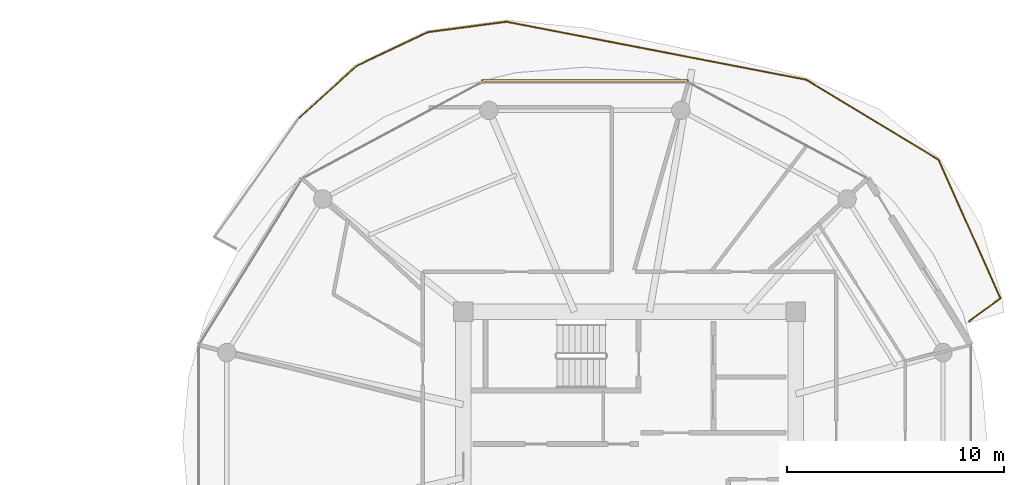
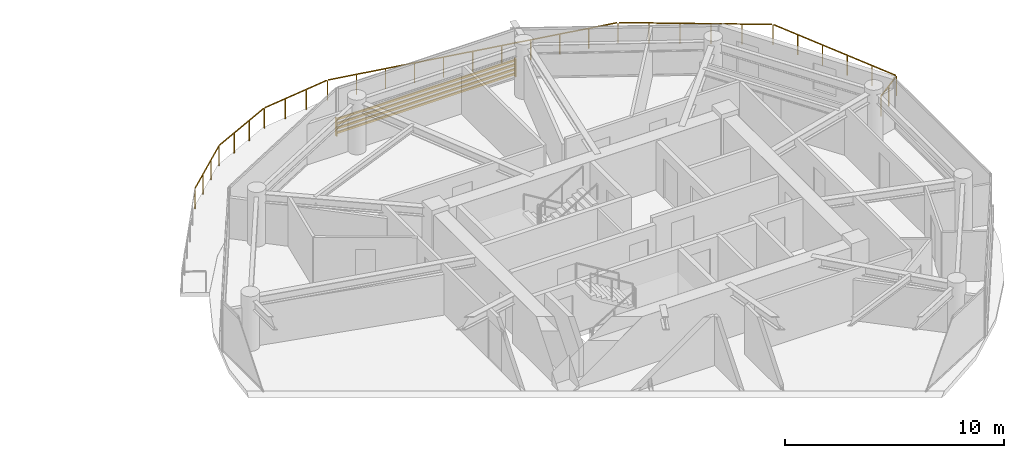
# One storey, part 24 of 24: 1 railing, 1 shading device.
"""IFC4 building model written with IfcOpenShell, lengths in metres."""

from ifc_helpers import new_model, si_unit, direction, frame, origin, origin_2d, place, context, subcontext, project, spatial, rectangle, extrude, source, transform, mapped, material, type_object, type_shapes, element, save


model = new_model("IFC4")

# Units and contexts
model_context = context("Model", 3, precision=1e-05, world=origin(), true_north=direction((0.0, 1.0)))
body_context = subcontext(model_context, "Body", "Model", "MODEL_VIEW")
ifc_project = project(units=[si_unit("LENGTHUNIT", "METRE"), si_unit("AREAUNIT", "SQUARE_METRE"), si_unit("VOLUMEUNIT", "CUBIC_METRE"), si_unit("PLANEANGLEUNIT", "RADIAN"), si_unit("MASSUNIT", "GRAM", prefix="KILO")], contexts=[model_context])

# Site, building, storey
site_placement = place(None, origin())
site = spatial("IfcSite", under=ifc_project, at=site_placement, CompositionType="ELEMENT")
building_placement = place(site_placement, origin())
building = spatial("IfcBuilding", under=site, at=building_placement, Name="Norrkilde Senior Care Towers", CompositionType="ELEMENT")
storey_placement = place(building_placement, frame((0.0, 0.0, 117.60009765625)))
storey = spatial("IfcBuildingStorey", under=building, at=storey_placement, Name="L36", CompositionType="ELEMENT", Elevation=117.60009765625)

# Railing
ifc_material_1 = material(Name="Anodised Aluminium", Category="aluminium")
railing_type = type_object("IfcRailingType", Name="Balcony Swirl Ribbon Guardrail 1150", PredefinedType="GUARDRAIL", material=ifc_material_1)
railing_placement = place(storey_placement, frame((12.77734375, 14.83984375, 0.0)))
element("IfcRailing", 1, at=railing_placement, inside=storey, type_object=railing_type, Name="L36 Perimeter Safety Guard 01", PredefinedType="GUARDRAIL", context=body_context, shape_type="SweptSolid", body=[
    extrude(rectangle(XDim=0.048095703125, YDim=0.048095703125, at=origin_2d()), frame((0.0, 0.0, 1.1259765625), z_axis=(0.741366875301, 0.671099959922, 0.0), x_axis=(-0.671099959922, 0.741366875301, 0.0)), (0.0, 0.0, 1.0), 3.55517578125),
    extrude(rectangle(XDim=0.048095703125, YDim=0.048095703125, at=origin_2d()), frame((2.702880859375, 2.430908203125, 1.1259765625), z_axis=(0.903371947898, 0.428857929564, 0.0), x_axis=(-0.428857929564, 0.903371947898, 0.0)), (0.0, 0.0, 1.0), 3.549072265625),
    extrude(rectangle(XDim=0.048095703125, YDim=0.048095703125, at=origin_2d()), frame((5.986572265625, 3.975830078125, 1.1259765625), z_axis=(0.991299638065, 0.131624570546, 0.0), x_axis=(-0.131624570546, 0.991299638065, 0.0)), (0.0, 0.0, 1.0), 3.566650390625),
    extrude(rectangle(XDim=0.048095703125, YDim=0.048095703125, at=origin_2d()), frame((9.602783203125, 4.44287109375, 1.1259765625), z_axis=(0.981795734719, -0.189939820176, 0.0), x_axis=(0.189939820176, 0.981795734719, 0.0)), (0.0, 0.0, 1.0), 13.974853515625),
    extrude(rectangle(XDim=0.048095703125, YDim=0.048095703125, at=origin_2d()), frame((23.3984375, 1.759521484375, 1.1259765625), z_axis=(0.855397815299, -0.517971599203, 0.0), x_axis=(0.517971599203, 0.855397815299, 0.0)), (0.0, 0.0, 1.0), 7.01611328125),
    extrude(rectangle(XDim=0.048095703125, YDim=0.048095703125, at=origin_2d()), frame((29.45166015625, -1.93310546875, 1.1259765625), z_axis=(0.40804615809, -0.912961298669, 0.0), x_axis=(0.912961298669, 0.40804615809, 0.0)), (0.0, 0.0, 1.0), 6.89697265625),
    extrude(rectangle(XDim=0.048095703125, YDim=0.048095703125, at=origin_2d()), frame((32.249755859375, -8.291259765625, 1.1259765625), z_axis=(-0.806802044972, -0.590821851517, 0.0), x_axis=(0.590821851517, -0.806802044972, 0.0)), (0.0, 0.0, 1.0), 1.7373046875),
    extrude(rectangle(XDim=0.0419921875, YDim=0.0419921875, at=origin_2d()), origin(), (0.0, 0.0, 1.0), 1.099853515625),
    extrude(rectangle(XDim=0.0419921875, YDim=0.0419921875, at=origin_2d()), frame((0.888671875, 0.804443359375, 0.0)), (0.0, 0.0, 1.0), 1.099853515625),
    extrude(rectangle(XDim=0.0419921875, YDim=0.0419921875, at=origin_2d()), frame((1.77734375, 1.60888671875, 0.0)), (0.0, 0.0, 1.0), 1.099853515625),
    extrude(rectangle(XDim=0.0419921875, YDim=0.0419921875, at=origin_2d()), frame((2.666015625, 2.413330078125, 0.0)), (0.0, 0.0, 1.0), 1.099853515625),
    extrude(rectangle(XDim=0.0419921875, YDim=0.0419921875, at=origin_2d()), frame((3.75927734375, 2.932373046875, 0.0)), (0.0, 0.0, 1.0), 1.099853515625),
    extrude(rectangle(XDim=0.0419921875, YDim=0.0419921875, at=origin_2d()), frame((4.852783203125, 3.451416015625, 0.0)), (0.0, 0.0, 1.0), 1.099853515625),
    extrude(rectangle(XDim=0.0419921875, YDim=0.0419921875, at=origin_2d()), frame((5.946044921875, 3.970458984375, 0.0)), (0.0, 0.0, 1.0), 1.099853515625),
    extrude(rectangle(XDim=0.0419921875, YDim=0.0419921875, at=origin_2d()), frame((7.151611328125, 4.130615234375, 0.0)), (0.0, 0.0, 1.0), 1.099853515625),
    extrude(rectangle(XDim=0.0419921875, YDim=0.0419921875, at=origin_2d()), frame((8.357177734375, 4.29052734375, 0.0)), (0.0, 0.0, 1.0), 1.099853515625),
    extrude(rectangle(XDim=0.0419921875, YDim=0.0419921875, at=origin_2d()), frame((9.562744140625, 4.45068359375, 0.0)), (0.0, 0.0, 1.0), 1.099853515625),
    extrude(rectangle(XDim=0.0419921875, YDim=0.0419921875, at=origin_2d()), frame((10.94287109375, 4.18359375, 0.0)), (0.0, 0.0, 1.0), 1.099853515625),
    extrude(rectangle(XDim=0.0419921875, YDim=0.0419921875, at=origin_2d()), frame((12.322998046875, 3.916748046875, 0.0)), (0.0, 0.0, 1.0), 1.099853515625),
    extrude(rectangle(XDim=0.0419921875, YDim=0.0419921875, at=origin_2d()), frame((13.702880859375, 3.649658203125, 0.0)), (0.0, 0.0, 1.0), 1.099853515625),
    extrude(rectangle(XDim=0.0419921875, YDim=0.0419921875, at=origin_2d()), frame((15.0830078125, 3.3828125, 0.0)), (0.0, 0.0, 1.0), 1.099853515625),
    extrude(rectangle(XDim=0.0419921875, YDim=0.0419921875, at=origin_2d()), frame((16.463134765625, 3.11572265625, 0.0)), (0.0, 0.0, 1.0), 1.099853515625),
    extrude(rectangle(XDim=0.0419921875, YDim=0.0419921875, at=origin_2d()), frame((17.84326171875, 2.8486328125, 0.0)), (0.0, 0.0, 1.0), 1.099853515625),
    extrude(rectangle(XDim=0.0419921875, YDim=0.0419921875, at=origin_2d()), frame((19.223388671875, 2.581787109375, 0.0)), (0.0, 0.0, 1.0), 1.099853515625),
    extrude(rectangle(XDim=0.0419921875, YDim=0.0419921875, at=origin_2d()), frame((20.603271484375, 2.314697265625, 0.0)), (0.0, 0.0, 1.0), 1.099853515625),
    extrude(rectangle(XDim=0.0419921875, YDim=0.0419921875, at=origin_2d()), frame((21.9833984375, 2.0478515625, 0.0)), (0.0, 0.0, 1.0), 1.099853515625),
    extrude(rectangle(XDim=0.0419921875, YDim=0.0419921875, at=origin_2d()), frame((23.363525390625, 1.78076171875, 0.0)), (0.0, 0.0, 1.0), 1.099853515625),
    extrude(rectangle(XDim=0.0419921875, YDim=0.0419921875, at=origin_2d()), frame((24.577880859375, 1.04541015625, 0.0)), (0.0, 0.0, 1.0), 1.099853515625),
    extrude(rectangle(XDim=0.0419921875, YDim=0.0419921875, at=origin_2d()), frame((25.792236328125, 0.31005859375, 0.0)), (0.0, 0.0, 1.0), 1.099853515625),
    extrude(rectangle(XDim=0.0419921875, YDim=0.0419921875, at=origin_2d()), frame((27.00634765625, -0.425048828125, 0.0)), (0.0, 0.0, 1.0), 1.099853515625),
    extrude(rectangle(XDim=0.0419921875, YDim=0.0419921875, at=origin_2d()), frame((28.220703125, -1.160400390625, 0.0)), (0.0, 0.0, 1.0), 1.099853515625),
    extrude(rectangle(XDim=0.0419921875, YDim=0.0419921875, at=origin_2d()), frame((29.43505859375, -1.895751953125, 0.0)), (0.0, 0.0, 1.0), 1.099853515625),
    extrude(rectangle(XDim=0.0419921875, YDim=0.0419921875, at=origin_2d()), frame((30.004638671875, -3.169921875, 0.0)), (0.0, 0.0, 1.0), 1.099853515625),
    extrude(rectangle(XDim=0.0419921875, YDim=0.0419921875, at=origin_2d()), frame((30.57421875, -4.4443359375, 0.0)), (0.0, 0.0, 1.0), 1.099853515625),
    extrude(rectangle(XDim=0.0419921875, YDim=0.0419921875, at=origin_2d()), frame((31.1435546875, -5.718505859375, 0.0)), (0.0, 0.0, 1.0), 1.099853515625),
    extrude(rectangle(XDim=0.0419921875, YDim=0.0419921875, at=origin_2d()), frame((31.713134765625, -6.992919921875, 0.0)), (0.0, 0.0, 1.0), 1.099853515625),
    extrude(rectangle(XDim=0.0419921875, YDim=0.0419921875, at=origin_2d()), frame((32.28271484375, -8.26708984375, 0.0)), (0.0, 0.0, 1.0), 1.099853515625),
    extrude(rectangle(XDim=0.0419921875, YDim=0.0419921875, at=origin_2d()), frame((31.5654296875, -8.79248046875, 0.0)), (0.0, 0.0, 1.0), 1.099853515625),
    extrude(rectangle(XDim=0.0419921875, YDim=0.0419921875, at=origin_2d()), frame((30.84814453125, -9.317626953125, 0.0)), (0.0, 0.0, 1.0), 1.099853515625),
])

# Shading device
ifc_material_2 = material(Name="Architectural Terracotta", Category="masonry")
shading_device_type = type_object("IfcShadingDeviceType", Name="Horizontal Terracotta Baguette Rack", PredefinedType="USERDEFINED", material=ifc_material_2)
shared_shape = source(origin(), body_context, "Body", "SweptSolid", [
    extrude(rectangle(XDim=0.070068359375, YDim=0.110107421875, at=origin_2d()), frame((0.0, 0.090087890625, 0.125), z_axis=(1.0, 0.0, 0.0), x_axis=(0.0, 1.0, 0.0)), (0.0, 0.0, 1.0), 9.51416015625),
    extrude(rectangle(XDim=0.070068359375, YDim=0.110107421875, at=origin_2d()), frame((0.0, 0.090087890625, 0.375), z_axis=(1.0, 0.0, 0.0), x_axis=(0.0, 1.0, 0.0)), (0.0, 0.0, 1.0), 9.51416015625),
    extrude(rectangle(XDim=0.070068359375, YDim=0.110107421875, at=origin_2d()), frame((0.0, 0.090087890625, 0.625), z_axis=(1.0, 0.0, 0.0), x_axis=(0.0, 1.0, 0.0)), (0.0, 0.0, 1.0), 9.51416015625),
    extrude(rectangle(XDim=0.070068359375, YDim=0.110107421875, at=origin_2d()), frame((0.0, 0.090087890625, 0.875), z_axis=(1.0, 0.0, 0.0), x_axis=(0.0, 1.0, 0.0)), (0.0, 0.0, 1.0), 9.51416015625),
    extrude(rectangle(XDim=0.050048828125, YDim=0.1552734375, at=origin_2d()), frame((0.02490234375, 0.047607421875, 0.0)), (0.0, 0.0, 1.0), 1.0),
    extrude(rectangle(XDim=0.050048828125, YDim=0.1552734375, at=origin_2d()), frame((9.4892578125, 0.047607421875, 0.0)), (0.0, 0.0, 1.0), 1.0),
])
type_shapes(shading_device_type, [shared_shape])
shading_device_placement = place(storey_placement, frame((21.19287109375, 16.498046875, 0.079833984375), z_axis=(0.0, 0.0, 1.0), x_axis=(1.0, 0.0, 0.0)))
element("IfcShadingDevice", 2, at=shading_device_placement, inside=storey, type_object=shading_device_type, Name="L36 Drum E Terracotta Baguette Screen 02", ObjectType="BAGUETTE", PredefinedType="USERDEFINED", context=body_context, shape_type="MappedRepresentation", body=[
    mapped(shared_shape, transform((0.0, 0.0, 0.0), x_axis=(1.0, 0.0, 0.0), y_axis=(0.0, 1.0, 0.0), z_axis=(0.0, 0.0, 1.0), scale=1.0)),
])

save(model, "model.ifc")
